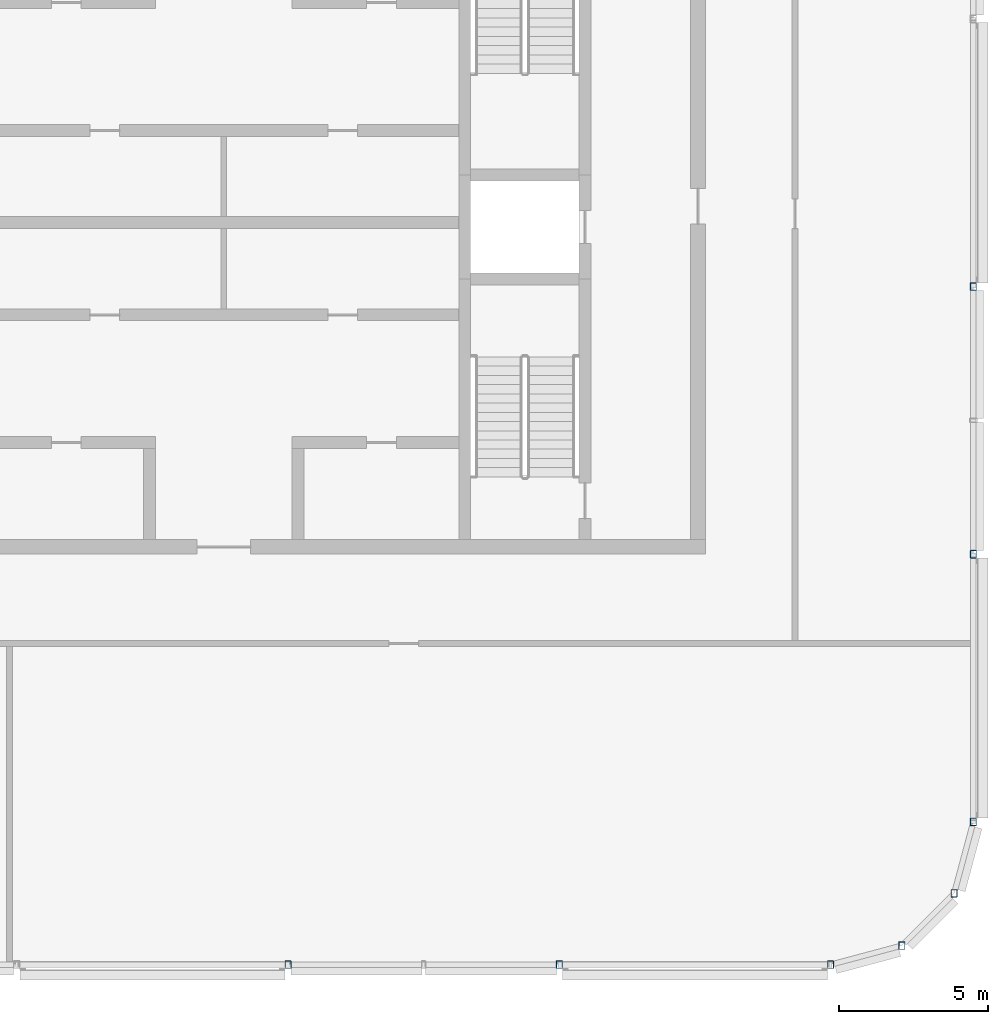
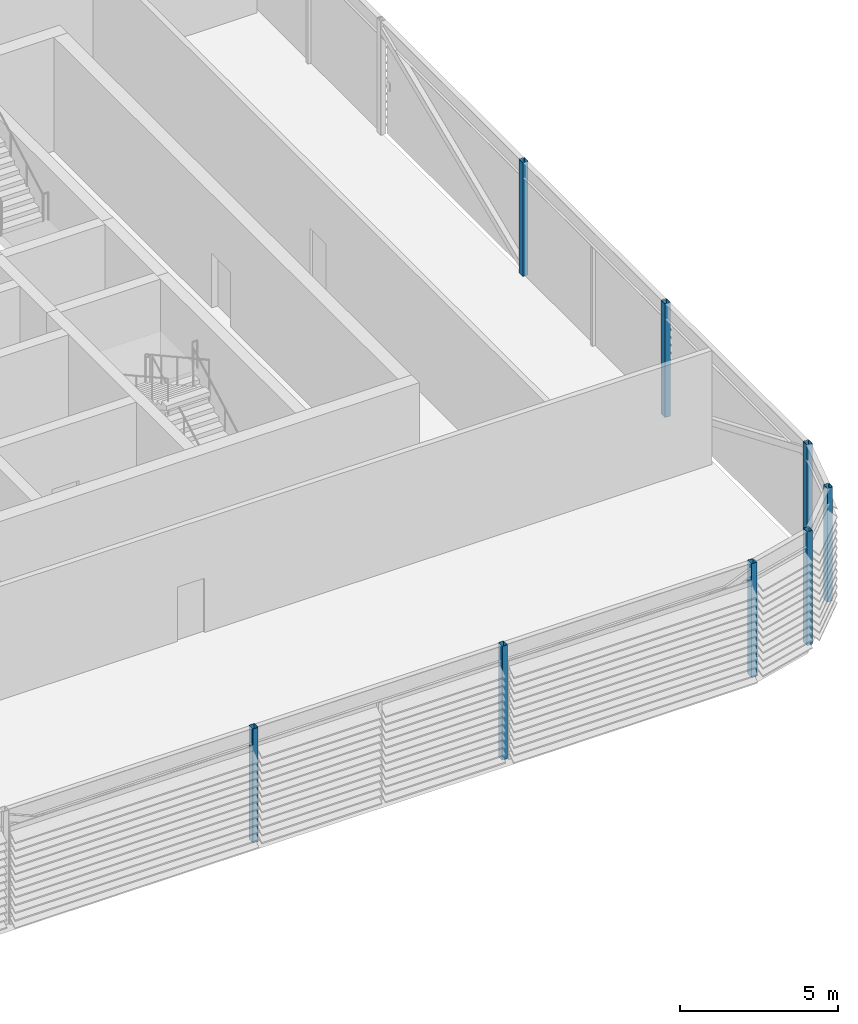
# One storey, part 2 of 27: 8 columns.
"""IFC4 building model written with IfcOpenShell, lengths in metres."""

from ifc_helpers import new_model, si_unit, direction, frame, origin, origin_2d, place, context, subcontext, project, spatial, hollow_rectangle, extrude, material, material_profile, profile_set, type_object, element, save


model = new_model("IFC4")

# Units and contexts
model_context = context("Model", 3, precision=1e-05, world=origin(), true_north=direction((0.0, 1.0)))
body_context = subcontext(model_context, "Body", "Model", "MODEL_VIEW")
ifc_project = project(units=[si_unit("LENGTHUNIT", "METRE"), si_unit("AREAUNIT", "SQUARE_METRE"), si_unit("VOLUMEUNIT", "CUBIC_METRE"), si_unit("PLANEANGLEUNIT", "RADIAN"), si_unit("MASSUNIT", "GRAM", prefix="KILO")], contexts=[model_context])

# Site, building, storey
site_placement = place(None, origin())
site = spatial("IfcSite", under=ifc_project, at=site_placement, CompositionType="ELEMENT")
building_placement = place(site_placement, origin())
building = spatial("IfcBuilding", under=site, at=building_placement, Name="Madar Terraces", CompositionType="ELEMENT")
storey_placement = place(building_placement, frame((0.0, 0.0, 301.10009765625)))
storey = spatial("IfcBuildingStorey", under=building, at=storey_placement, Name="L78", CompositionType="ELEMENT", Elevation=301.10009765625)

# Columns
ifc_material = material(Name="Steel ASTM A500 Grade C", Category="steel")
ifc_material_profile = material_profile(ifc_material, hollow_rectangle(XDim=0.203125, YDim=0.25390625, WallThickness=0.009521484375, InnerFilletRadius=0.00439453125, OuterFilletRadius=0.01318359375, at=origin_2d()), Name="HSS10x8x.375")
ifc_profile_set = profile_set([ifc_material_profile], Name="Steel ASTM A500 Grade C")
column_type = type_object("IfcColumnType", Name="CF1 HSS10x8x.375", PredefinedType="COLUMN", material=ifc_profile_set)
for number, where, z_axis, x_axis, name in (
    (1, (33.360107421875, 1.199951171875, 0.0), (0.0, 0.0, 1.0), (1.0, 0.0, 0.0), "Crown frame column CF1"),
    (2, (42.47998046875, 1.199951171875, 0.0), (0.0, 0.0, 1.0), (1.0, 0.0, 0.0), "Crown frame column CF1"),
    (3, (51.60009765625, 1.199951171875, 0.0), (0.0, 0.0, 1.0), (1.0, 0.0, 0.0), "Crown frame column CF1"),
    (4, (54.0, 1.843017578125, 0.0), (0.0, 0.0, 1.0), (1.0, 0.0, 0.0), "Crown frame column CF1"),
    (5, (55.7568359375, 3.60009765625, 0.0), (0.0, 0.0, 1.0), (1.0, 0.0, 0.0), "Crown frame column CF1"),
    (6, (56.39990234375, 6.0, 0.0), (0.0, 0.0, 1.0), (1.0, 0.0, 0.0), "Crown frame column CF1"),
    (7, (56.39990234375, 15.0, 0.0), (0.0, 0.0, 1.0), (1.0, 0.0, 0.0), "Crown frame column CF1"),
    (8, (56.39990234375, 24.0, 0.0), (0.0, 0.0, 1.0), (1.0, 0.0, 0.0), "Crown frame column CF1"),
):
    element("IfcColumn", number, at=place(storey_placement, frame(where, z_axis=z_axis, x_axis=x_axis)), inside=storey, type_object=column_type, Name=name, PredefinedType="COLUMN", context=body_context, shape_type="SweptSolid", body=[
        extrude(hollow_rectangle(XDim=0.203125, YDim=0.25390625, WallThickness=0.009521484375, InnerFilletRadius=0.00439453125, OuterFilletRadius=0.01318359375, at=origin_2d()), origin(), (0.0, 0.0, 1.0), 4.39990234375),
    ])

save(model, "model.ifc")
